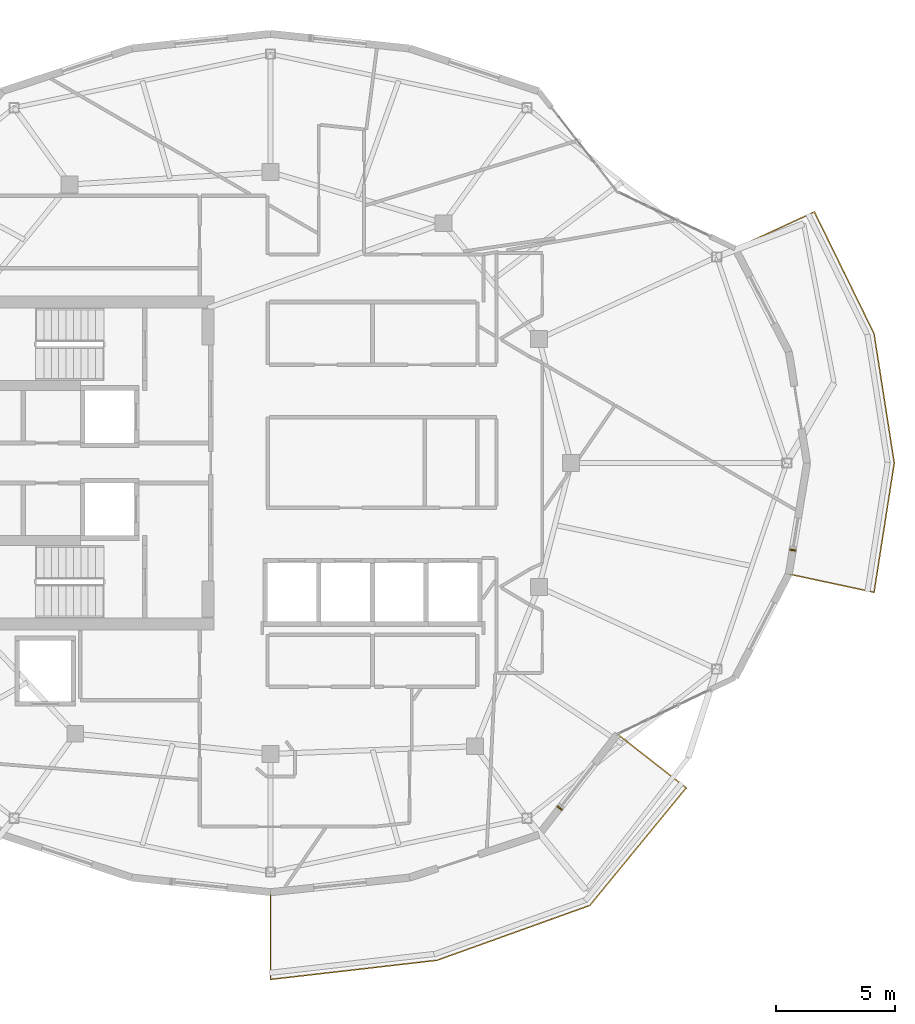
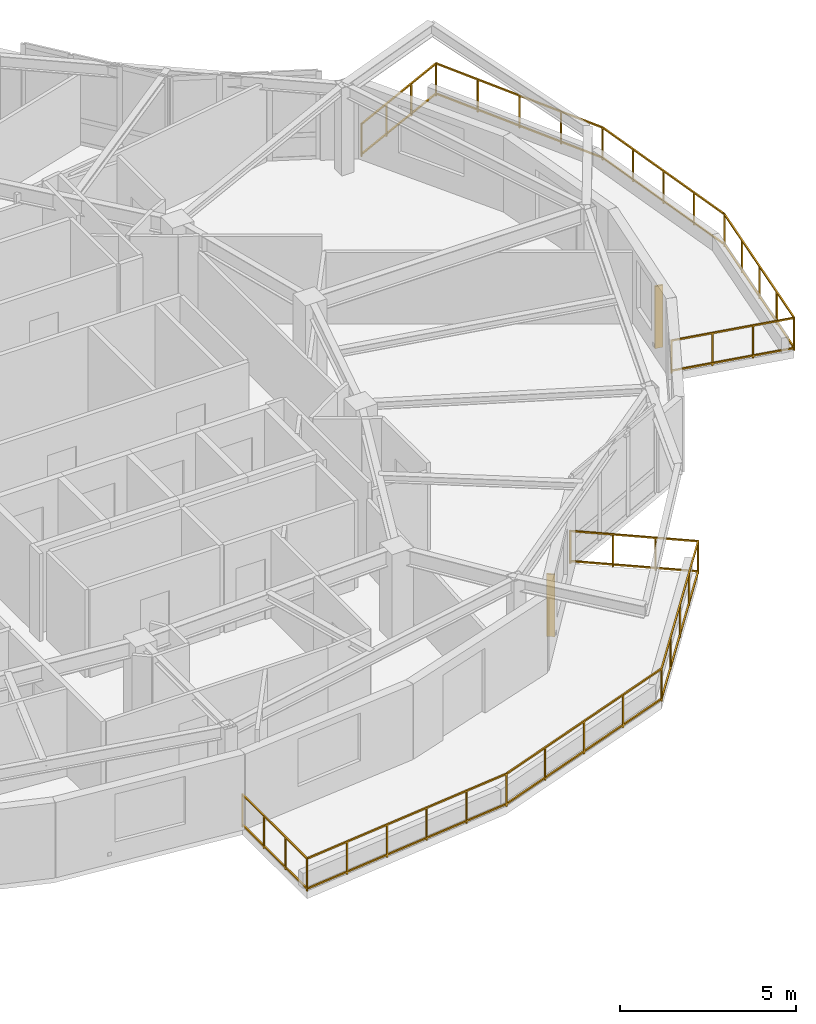
# One storey, part 13 of 14: 2 railings, 2 shading devices.
"""IFC4 building model written with IfcOpenShell, lengths in metres."""

from ifc_helpers import new_model, si_unit, direction, frame, origin, origin_2d, place, context, subcontext, project, spatial, rectangle, extrude, material, type_object, element, save


model = new_model("IFC4")

# Units and contexts
model_context = context("Model", 3, precision=1e-05, world=origin(), true_north=direction((0.0, 1.0)))
body_context = subcontext(model_context, "Body", "Model", "MODEL_VIEW")
ifc_project = project(units=[si_unit("LENGTHUNIT", "METRE"), si_unit("AREAUNIT", "SQUARE_METRE"), si_unit("VOLUMEUNIT", "CUBIC_METRE"), si_unit("PLANEANGLEUNIT", "RADIAN"), si_unit("MASSUNIT", "GRAM", prefix="KILO")], contexts=[model_context])

# Site, building, storey
site_placement = place(None, origin())
site = spatial("IfcSite", under=ifc_project, at=site_placement, CompositionType="ELEMENT")
building_placement = place(site_placement, origin())
building = spatial("IfcBuilding", under=site, at=building_placement, Name="Kolvaren Gate Tower and Convention Centre", CompositionType="ELEMENT")
storey_placement = place(building_placement, frame((0.0, 0.0, 239.300048828125)))
storey = spatial("IfcBuildingStorey", under=building, at=storey_placement, Name="L64", CompositionType="ELEMENT", Elevation=239.300048828125)

# Railings
ifc_material_1 = material(Name="Brushed Stainless Steel Grade 316L", Category="steel")
railing_type = type_object("IfcRailingType", Name="ARCH-RL-GUARD-1150", PredefinedType="GUARDRAIL", material=ifc_material_1)
railing_1_placement = place(storey_placement, frame((30.125, 9.0, 0.0)))
element("IfcRailing", 1, at=railing_1_placement, inside=storey, type_object=railing_type, Name="Tower L64 Terrace Perimeter Guardrail GR-3", PredefinedType="GUARDRAIL", context=body_context, shape_type="SweptSolid", body=[
    extrude(rectangle(XDim=0.048095703125, YDim=0.048095703125, at=origin_2d()), frame((0.0, -0.028076171875, 1.1259765625), z_axis=(0.0, -1.0, 0.0), x_axis=(1.0, 0.0, 0.0)), (0.0, 0.0, 1.0), 3.603759765625),
    extrude(rectangle(XDim=0.048095703125, YDim=0.048095703125, at=origin_2d()), frame((0.0, -0.028076171875, 0.083984375), z_axis=(0.0, -1.0, 0.0), x_axis=(1.0, 0.0, 0.0)), (0.0, 0.0, 1.0), 3.603759765625),
    extrude(rectangle(XDim=0.048095703125, YDim=0.048095703125, at=origin_2d()), frame((0.02783203125, -3.65673828125, 1.1259765625), z_axis=(0.99346265417, 0.114157587437, 0.0), x_axis=(-0.114157587437, 0.99346265417, 0.0)), (0.0, 0.0, 1.0), 6.975830078125),
    extrude(rectangle(XDim=0.048095703125, YDim=0.048095703125, at=origin_2d()), frame((0.02783203125, -3.65673828125, 0.083984375), z_axis=(0.99346265417, 0.114157587437, 0.0), x_axis=(-0.114157587437, 0.99346265417, 0.0)), (0.0, 0.0, 1.0), 6.975830078125),
    extrude(rectangle(XDim=0.048095703125, YDim=0.048095703125, at=origin_2d()), frame((7.01220703125, -2.84765625, 1.1259765625), z_axis=(0.941139090914, 0.338019543152, 0.0), x_axis=(-0.338019543152, 0.941139090914, 0.0)), (0.0, 0.0, 1.0), 6.75048828125),
    extrude(rectangle(XDim=0.048095703125, YDim=0.048095703125, at=origin_2d()), frame((7.01220703125, -2.84765625, 0.083984375), z_axis=(0.941139090914, 0.338019543152, 0.0), x_axis=(-0.338019543152, 0.941139090914, 0.0)), (0.0, 0.0, 1.0), 6.75048828125),
    extrude(rectangle(XDim=0.048095703125, YDim=0.048095703125, at=origin_2d()), frame((13.40966796875, -0.53466796875, 1.1259765625), z_axis=(0.634050293942, 0.773291810866, 0.0), x_axis=(-0.773291810866, 0.634050293942, 0.0)), (0.0, 0.0, 1.0), 6.322509765625),
    extrude(rectangle(XDim=0.048095703125, YDim=0.048095703125, at=origin_2d()), frame((13.40966796875, -0.53466796875, 0.083984375), z_axis=(0.634050293942, 0.773291810866, 0.0), x_axis=(-0.773291810866, 0.634050293942, 0.0)), (0.0, 0.0, 1.0), 6.322509765625),
    extrude(rectangle(XDim=0.048095703125, YDim=0.048095703125, at=origin_2d()), frame((17.4140625, 4.3935546875, 1.1259765625), z_axis=(-0.787988976981, 0.61568934712, 0.0), x_axis=(-0.61568934712, -0.787988976981, 0.0)), (0.0, 0.0, 1.0), 3.60400390625),
    extrude(rectangle(XDim=0.048095703125, YDim=0.048095703125, at=origin_2d()), frame((17.4140625, 4.3935546875, 0.083984375), z_axis=(-0.787988976981, 0.61568934712, 0.0), x_axis=(-0.61568934712, -0.787988976981, 0.0)), (0.0, 0.0, 1.0), 3.60400390625),
    extrude(rectangle(XDim=0.0419921875, YDim=0.0419921875, at=origin_2d()), origin(), (0.0, 0.0, 1.0), 1.14990234375),
    extrude(rectangle(XDim=0.0419921875, YDim=0.0419921875, at=origin_2d()), frame((0.0, -3.659912109375, 0.0)), (0.0, 0.0, 1.0), 1.14990234375),
    extrude(rectangle(XDim=0.0419921875, YDim=0.0419921875, at=origin_2d()), frame((0.0, -1.219970703125, 0.0)), (0.0, 0.0, 1.0), 1.099853515625),
    extrude(rectangle(XDim=0.0419921875, YDim=0.0419921875, at=origin_2d()), frame((0.0, -2.43994140625, 0.0)), (0.0, 0.0, 1.0), 1.099853515625),
    extrude(rectangle(XDim=0.0419921875, YDim=0.0419921875, at=origin_2d()), frame((6.98583984375, -2.857177734375, 0.0)), (0.0, 0.0, 1.0), 1.14990234375),
    extrude(rectangle(XDim=0.0419921875, YDim=0.0419921875, at=origin_2d()), frame((1.397216796875, -3.499267578125, 0.0)), (0.0, 0.0, 1.0), 1.099853515625),
    extrude(rectangle(XDim=0.0419921875, YDim=0.0419921875, at=origin_2d()), frame((2.79443359375, -3.3388671875, 0.0)), (0.0, 0.0, 1.0), 1.099853515625),
    extrude(rectangle(XDim=0.0419921875, YDim=0.0419921875, at=origin_2d()), frame((4.19140625, -3.17822265625, 0.0)), (0.0, 0.0, 1.0), 1.099853515625),
    extrude(rectangle(XDim=0.0419921875, YDim=0.0419921875, at=origin_2d()), frame((5.588623046875, -3.017822265625, 0.0)), (0.0, 0.0, 1.0), 1.099853515625),
    extrude(rectangle(XDim=0.0419921875, YDim=0.0419921875, at=origin_2d()), frame((13.391845703125, -0.556396484375, 0.0)), (0.0, 0.0, 1.0), 1.14990234375),
    extrude(rectangle(XDim=0.0419921875, YDim=0.0419921875, at=origin_2d()), frame((8.58740234375, -2.281982421875, 0.0)), (0.0, 0.0, 1.0), 1.099853515625),
    extrude(rectangle(XDim=0.0419921875, YDim=0.0419921875, at=origin_2d()), frame((10.18896484375, -1.706787109375, 0.0)), (0.0, 0.0, 1.0), 1.099853515625),
    extrude(rectangle(XDim=0.0419921875, YDim=0.0419921875, at=origin_2d()), frame((11.790283203125, -1.131591796875, 0.0)), (0.0, 0.0, 1.0), 1.099853515625),
    extrude(rectangle(XDim=0.0419921875, YDim=0.0419921875, at=origin_2d()), frame((17.436279296875, 4.376220703125, 0.0)), (0.0, 0.0, 1.0), 1.14990234375),
    extrude(rectangle(XDim=0.0419921875, YDim=0.0419921875, at=origin_2d()), frame((14.40283203125, 0.6767578125, 0.0)), (0.0, 0.0, 1.0), 1.099853515625),
    extrude(rectangle(XDim=0.0419921875, YDim=0.0419921875, at=origin_2d()), frame((15.4140625, 1.909912109375, 0.0)), (0.0, 0.0, 1.0), 1.099853515625),
    extrude(rectangle(XDim=0.0419921875, YDim=0.0419921875, at=origin_2d()), frame((16.42529296875, 3.14306640625, 0.0)), (0.0, 0.0, 1.0), 1.099853515625),
    extrude(rectangle(XDim=0.0419921875, YDim=0.0419921875, at=origin_2d()), frame((14.55224609375, 6.629638671875, 0.0)), (0.0, 0.0, 1.0), 1.14990234375),
    extrude(rectangle(XDim=0.0419921875, YDim=0.0419921875, at=origin_2d()), frame((16.474853515625, 5.12744140625, 0.0)), (0.0, 0.0, 1.0), 1.099853515625),
    extrude(rectangle(XDim=0.0419921875, YDim=0.0419921875, at=origin_2d()), frame((15.513671875, 5.87841796875, 0.0)), (0.0, 0.0, 1.0), 1.099853515625),
])
railing_2_placement = place(storey_placement, frame((51.8583984375, 22.34130859375, 0.0)))
element("IfcRailing", 2, at=railing_2_placement, inside=storey, type_object=railing_type, Name="Tower L64 Terrace Perimeter Guardrail GR-4", PredefinedType="GUARDRAIL", context=body_context, shape_type="SweptSolid", body=[
    extrude(rectangle(XDim=0.048095703125, YDim=0.048095703125, at=origin_2d()), frame((0.02734375, -0.005859375, 1.1259765625), z_axis=(0.977788745232, -0.209592866525, 0.0), x_axis=(0.209592866525, 0.977788745232, 0.0)), (0.0, 0.0, 1.0), 3.603759765625),
    extrude(rectangle(XDim=0.048095703125, YDim=0.048095703125, at=origin_2d()), frame((0.02734375, -0.005859375, 0.083984375), z_axis=(0.977788745232, -0.209592866525, 0.0), x_axis=(0.209592866525, 0.977788745232, 0.0)), (0.0, 0.0, 1.0), 3.603759765625),
    extrude(rectangle(XDim=0.048095703125, YDim=0.048095703125, at=origin_2d()), frame((3.5830078125, -0.7392578125, 1.1259765625), z_axis=(0.1543985789, 0.988008643097, 0.0), x_axis=(-0.988008643097, 0.1543985789, 0.0)), (0.0, 0.0, 1.0), 5.435546875),
    extrude(rectangle(XDim=0.048095703125, YDim=0.048095703125, at=origin_2d()), frame((3.5830078125, -0.7392578125, 0.083984375), z_axis=(0.1543985789, 0.988008643097, 0.0), x_axis=(-0.988008643097, 0.1543985789, 0.0)), (0.0, 0.0, 1.0), 5.435546875),
    extrude(rectangle(XDim=0.048095703125, YDim=0.048095703125, at=origin_2d()), frame((4.422119140625, 4.6865234375, 1.1259765625), z_axis=(-0.1543985789, 0.988008643097, 0.0), x_axis=(-0.988008643097, -0.1543985789, 0.0)), (0.0, 0.0, 1.0), 5.435546875),
    extrude(rectangle(XDim=0.048095703125, YDim=0.048095703125, at=origin_2d()), frame((4.422119140625, 4.6865234375, 0.083984375), z_axis=(-0.1543985789, 0.988008643097, 0.0), x_axis=(-0.988008643097, -0.1543985789, 0.0)), (0.0, 0.0, 1.0), 5.435546875),
    extrude(rectangle(XDim=0.048095703125, YDim=0.048095703125, at=origin_2d()), frame((3.566162109375, 10.109619140625, 1.1259765625), z_axis=(-0.440058847499, 0.897968936399, 0.0), x_axis=(-0.897968936399, -0.440058847499, 0.0)), (0.0, 0.0, 1.0), 5.63330078125),
    extrude(rectangle(XDim=0.048095703125, YDim=0.048095703125, at=origin_2d()), frame((3.566162109375, 10.109619140625, 0.083984375), z_axis=(-0.440058847499, 0.897968936399, 0.0), x_axis=(-0.897968936399, -0.440058847499, 0.0)), (0.0, 0.0, 1.0), 5.63330078125),
    extrude(rectangle(XDim=0.048095703125, YDim=0.048095703125, at=origin_2d()), frame((1.049560546875, 15.181640625, 1.1259765625), z_axis=(-0.907846116663, -0.419303503993, 0.0), x_axis=(0.419303503993, -0.907846116663, 0.0)), (0.0, 0.0, 1.0), 3.60400390625),
    extrude(rectangle(XDim=0.048095703125, YDim=0.048095703125, at=origin_2d()), frame((1.049560546875, 15.181640625, 0.083984375), z_axis=(-0.907846116663, -0.419303503993, 0.0), x_axis=(0.419303503993, -0.907846116663, 0.0)), (0.0, 0.0, 1.0), 3.60400390625),
    extrude(rectangle(XDim=0.0419921875, YDim=0.0419921875, at=origin_2d()), origin(), (0.0, 0.0, 1.0), 1.14990234375),
    extrude(rectangle(XDim=0.0419921875, YDim=0.0419921875, at=origin_2d()), frame((3.57861328125, -0.76708984375, 0.0)), (0.0, 0.0, 1.0), 1.14990234375),
    extrude(rectangle(XDim=0.0419921875, YDim=0.0419921875, at=origin_2d()), frame((1.19287109375, -0.255615234375, 0.0)), (0.0, 0.0, 1.0), 1.099853515625),
    extrude(rectangle(XDim=0.0419921875, YDim=0.0419921875, at=origin_2d()), frame((2.3857421875, -0.511474609375, 0.0)), (0.0, 0.0, 1.0), 1.099853515625),
    extrude(rectangle(XDim=0.0419921875, YDim=0.0419921875, at=origin_2d()), frame((4.426513671875, 4.65869140625, 0.0)), (0.0, 0.0, 1.0), 1.14990234375),
    extrude(rectangle(XDim=0.0419921875, YDim=0.0419921875, at=origin_2d()), frame((3.79052734375, 0.58935546875, 0.0)), (0.0, 0.0, 1.0), 1.099853515625),
    extrude(rectangle(XDim=0.0419921875, YDim=0.0419921875, at=origin_2d()), frame((4.00244140625, 1.94580078125, 0.0)), (0.0, 0.0, 1.0), 1.099853515625),
    extrude(rectangle(XDim=0.0419921875, YDim=0.0419921875, at=origin_2d()), frame((4.214599609375, 3.30224609375, 0.0)), (0.0, 0.0, 1.0), 1.099853515625),
    extrude(rectangle(XDim=0.0419921875, YDim=0.0419921875, at=origin_2d()), frame((3.57861328125, 10.08447265625, 0.0)), (0.0, 0.0, 1.0), 1.14990234375),
    extrude(rectangle(XDim=0.0419921875, YDim=0.0419921875, at=origin_2d()), frame((4.214599609375, 6.01513671875, 0.0)), (0.0, 0.0, 1.0), 1.099853515625),
    extrude(rectangle(XDim=0.0419921875, YDim=0.0419921875, at=origin_2d()), frame((4.00244140625, 7.37158203125, 0.0)), (0.0, 0.0, 1.0), 1.099853515625),
    extrude(rectangle(XDim=0.0419921875, YDim=0.0419921875, at=origin_2d()), frame((3.79052734375, 8.72802734375, 0.0)), (0.0, 0.0, 1.0), 1.099853515625),
    extrude(rectangle(XDim=0.0419921875, YDim=0.0419921875, at=origin_2d()), frame((1.074951171875, 15.193359375, 0.0)), (0.0, 0.0, 1.0), 1.14990234375),
    extrude(rectangle(XDim=0.0419921875, YDim=0.0419921875, at=origin_2d()), frame((2.95263671875, 11.36181640625, 0.0)), (0.0, 0.0, 1.0), 1.099853515625),
    extrude(rectangle(XDim=0.0419921875, YDim=0.0419921875, at=origin_2d()), frame((2.32666015625, 12.638916015625, 0.0)), (0.0, 0.0, 1.0), 1.099853515625),
    extrude(rectangle(XDim=0.0419921875, YDim=0.0419921875, at=origin_2d()), frame((1.700927734375, 13.916015625, 0.0)), (0.0, 0.0, 1.0), 1.099853515625),
    extrude(rectangle(XDim=0.0419921875, YDim=0.0419921875, at=origin_2d()), frame((-2.247802734375, 13.65869140625, 0.0)), (0.0, 0.0, 1.0), 1.14990234375),
    extrude(rectangle(XDim=0.0419921875, YDim=0.0419921875, at=origin_2d()), frame((-0.03271484375, 14.681884765625, 0.0)), (0.0, 0.0, 1.0), 1.099853515625),
    extrude(rectangle(XDim=0.0419921875, YDim=0.0419921875, at=origin_2d()), frame((-1.14013671875, 14.170166015625, 0.0)), (0.0, 0.0, 1.0), 1.099853515625),
])

# Shading devices
ifc_material_2 = material(Name="Kiln-Fired Bogota Terracotta Ceramic Louvre Profile", Category="masonry")
shading_device_type = type_object("IfcShadingDeviceType", Name="ARCH-SHD-FIN-180", PredefinedType="JALOUSIE", material=ifc_material_2)
for number, where, z_axis, x_axis, name in (
    (3, (42.249755859375, 12.52880859375, 0.219970703125), (0.0, 0.0, 1.0), (0.616435493395, 0.787405411769, 0.0), "Ceramic Vertical Brise-Soleil Fin FN-L64-20"),
    (4, (52.02392578125, 23.347900390625, 0.219970703125), (0.0, 0.0, 1.0), (0.162389178836, 0.986726788223, 0.0), "Ceramic Vertical Brise-Soleil Fin FN-L64-23"),
):
    element("IfcShadingDevice", number, at=place(storey_placement, frame(where, z_axis=z_axis, x_axis=x_axis)), inside=storey, type_object=shading_device_type, Name=name, PredefinedType="JALOUSIE", context=body_context, shape_type="SweptSolid", body=[
        extrude(rectangle(XDim=0.06005859375, YDim=0.239990234375, at=origin_2d()), origin(), (0.0, 0.0, 1.0), 2.14990234375),
    ])

save(model, "model.ifc")
